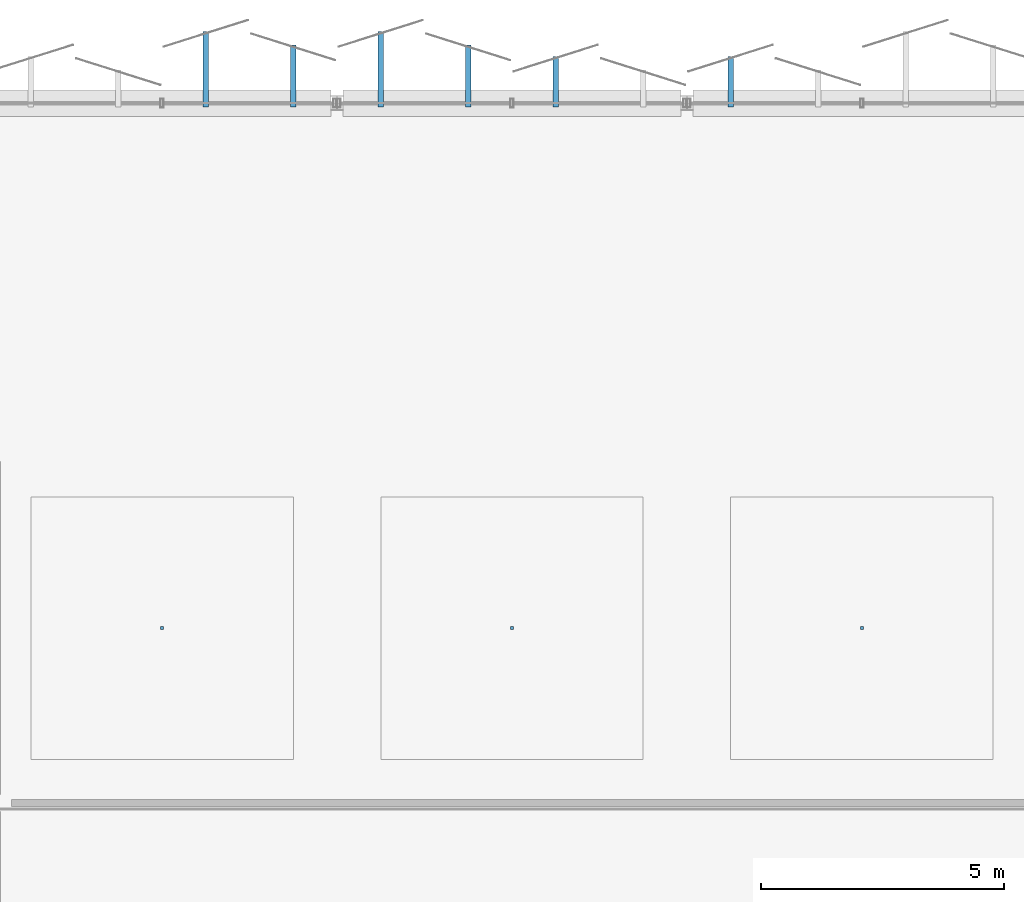
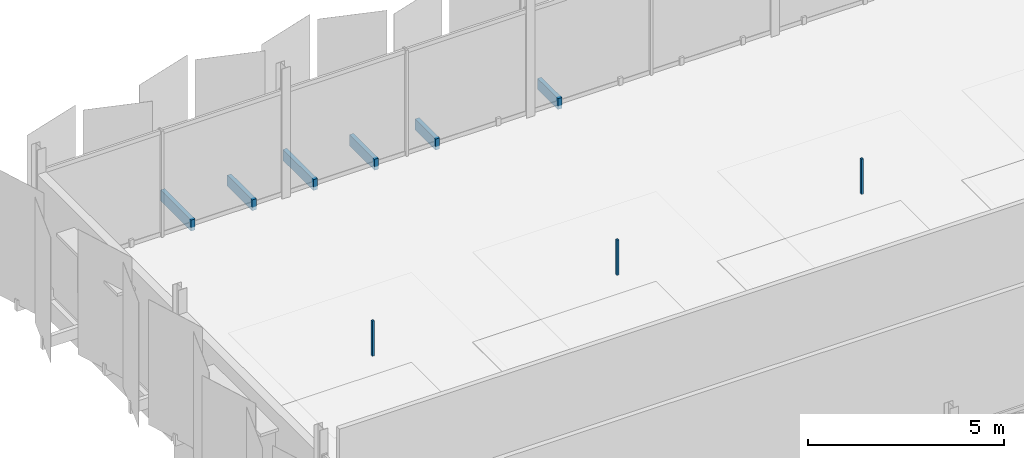
# One storey, part 66 of 77: 9 discrete accessories.
"""IFC4 building model written with IfcOpenShell, lengths in metres."""

from ifc_helpers import new_model, si_unit, direction, frame, origin, origin_2d, place, context, subcontext, project, spatial, rectangle, extrude, material, type_object, element, save


model = new_model("IFC4")

# Units and contexts
model_context = context("Model", 3, precision=1e-05, world=origin(), true_north=direction((0.0, 1.0)))
body_context = subcontext(model_context, "Body", "Model", "MODEL_VIEW")
ifc_project = project(units=[si_unit("LENGTHUNIT", "METRE"), si_unit("AREAUNIT", "SQUARE_METRE"), si_unit("VOLUMEUNIT", "CUBIC_METRE"), si_unit("PLANEANGLEUNIT", "RADIAN"), si_unit("MASSUNIT", "GRAM", prefix="KILO")], contexts=[model_context])

# Site, building, storey
site_placement = place(None, origin())
site = spatial("IfcSite", under=ifc_project, at=site_placement, CompositionType="ELEMENT")
building_placement = place(site_placement, origin())
building = spatial("IfcBuilding", under=site, at=building_placement, Name="Kangsadwip Square Police Headquarters", CompositionType="ELEMENT")
storey_placement = place(building_placement, frame((0.0, 0.0, 17.550048828125)))
storey = spatial("IfcBuildingStorey", under=building, at=storey_placement, Name="L04", CompositionType="ELEMENT", Elevation=17.550048828125)

# Discrete accessories
ifc_material = material(Name="Structural steel IS 2062 E350 (Grade 350, 350 MPa)", Category="steel")
discrete_accessory_type = type_object("IfcDiscreteAccessoryType", Name="VeilOutriggerBracket", PredefinedType="BRACKET", material=ifc_material)
discrete_accessory_1_placement = place(storey_placement, frame((98.10009765625, 115.897216796875, -0.10986328125), z_axis=(0.0, 0.0, 1.0), x_axis=(1.0, 0.0, 0.0)))
element("IfcDiscreteAccessory", 1, at=discrete_accessory_1_placement, inside=storey, type_object=discrete_accessory_type, Name="Veil Outrigger Bracket VBK-L04-0143", PredefinedType="BRACKET", context=body_context, shape_type="SweptSolid", body=[
    extrude(rectangle(XDim=0.1201171875, YDim=1.5546875, at=origin_2d()), origin(), (0.0, 0.0, 1.0), 0.340087890625),
])
discrete_accessory_2_placement = place(storey_placement, frame((99.89990234375, 115.75732421875, -0.10986328125), z_axis=(0.0, 0.0, 1.0), x_axis=(1.0, 0.0, 0.0)))
element("IfcDiscreteAccessory", 2, at=discrete_accessory_2_placement, inside=storey, type_object=discrete_accessory_type, Name="Veil Outrigger Bracket VBK-L04-0144", PredefinedType="BRACKET", context=body_context, shape_type="SweptSolid", body=[
    extrude(rectangle(XDim=0.1201171875, YDim=1.274658203125, at=origin_2d()), origin(), (0.0, 0.0, 1.0), 0.340087890625),
])
discrete_accessory_3_placement = place(storey_placement, frame((101.699951171875, 115.897216796875, -0.10986328125), z_axis=(0.0, 0.0, 1.0), x_axis=(1.0, 0.0, 0.0)))
element("IfcDiscreteAccessory", 3, at=discrete_accessory_3_placement, inside=storey, type_object=discrete_accessory_type, Name="Veil Outrigger Bracket VBK-L04-0145", PredefinedType="BRACKET", context=body_context, shape_type="SweptSolid", body=[
    extrude(rectangle(XDim=0.1201171875, YDim=1.5546875, at=origin_2d()), origin(), (0.0, 0.0, 1.0), 0.340087890625),
])
discrete_accessory_4_placement = place(storey_placement, frame((103.5, 115.75732421875, -0.10986328125), z_axis=(0.0, 0.0, 1.0), x_axis=(1.0, 0.0, 0.0)))
element("IfcDiscreteAccessory", 4, at=discrete_accessory_4_placement, inside=storey, type_object=discrete_accessory_type, Name="Veil Outrigger Bracket VBK-L04-0146", PredefinedType="BRACKET", context=body_context, shape_type="SweptSolid", body=[
    extrude(rectangle(XDim=0.1201171875, YDim=1.274658203125, at=origin_2d()), origin(), (0.0, 0.0, 1.0), 0.340087890625),
])
for number, where, z_axis, x_axis, name in (
    (5, (105.300048828125, 115.642578125, -0.10986328125), (0.0, 0.0, 1.0), (1.0, 0.0, 0.0), "Veil Outrigger Bracket VBK-L04-0147"),
    (6, (108.89990234375, 115.642578125, -0.10986328125), (0.0, 0.0, 1.0), (1.0, 0.0, 0.0), "Veil Outrigger Bracket VBK-L04-0149"),
):
    element("IfcDiscreteAccessory", number, at=place(storey_placement, frame(where, z_axis=z_axis, x_axis=x_axis)), inside=storey, type_object=discrete_accessory_type, Name=name, PredefinedType="BRACKET", context=body_context, shape_type="SweptSolid", body=[
        extrude(rectangle(XDim=0.1201171875, YDim=1.04541015625, at=origin_2d()), origin(), (0.0, 0.0, 1.0), 0.340087890625),
    ])
for number, where, z_axis, x_axis, name in (
    (7, (97.199951171875, 104.39990234375, 2.809814453125), (0.0, 0.0, 1.0), (1.0, 0.0, 0.0), "Ceiling Suspension Hanger L04-111"),
    (8, (104.39990234375, 104.39990234375, 2.809814453125), (0.0, 0.0, 1.0), (1.0, 0.0, 0.0), "Ceiling Suspension Hanger L04-112"),
    (9, (111.60009765625, 104.39990234375, 2.809814453125), (0.0, 0.0, 1.0), (1.0, 0.0, 0.0), "Ceiling Suspension Hanger L04-113"),
):
    element("IfcDiscreteAccessory", number, at=place(storey_placement, frame(where, z_axis=z_axis, x_axis=x_axis)), inside=storey, type_object=discrete_accessory_type, Name=name, PredefinedType="BRACKET", context=body_context, shape_type="SweptSolid", body=[
        extrude(rectangle(XDim=0.06005859375, YDim=0.06005859375, at=origin_2d()), origin(), (0.0, 0.0, 1.0), 1.10009765625),
    ])

save(model, "model.ifc")
